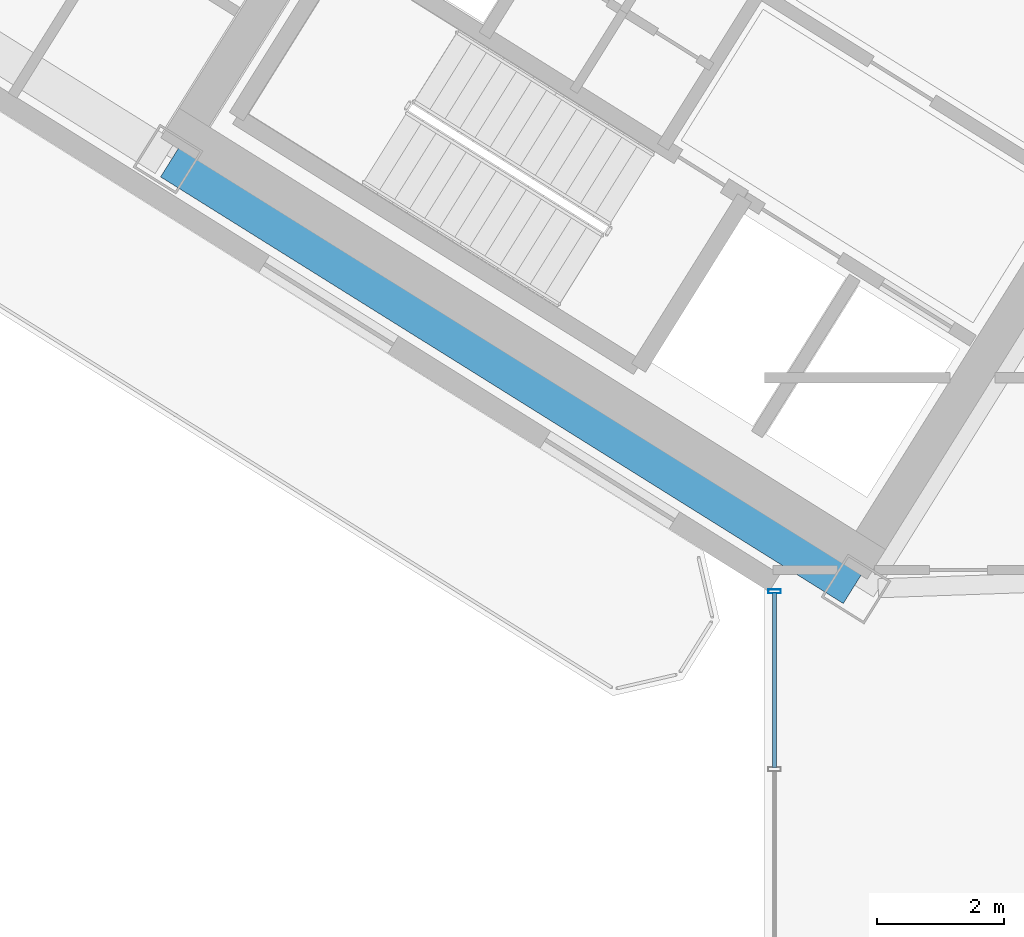
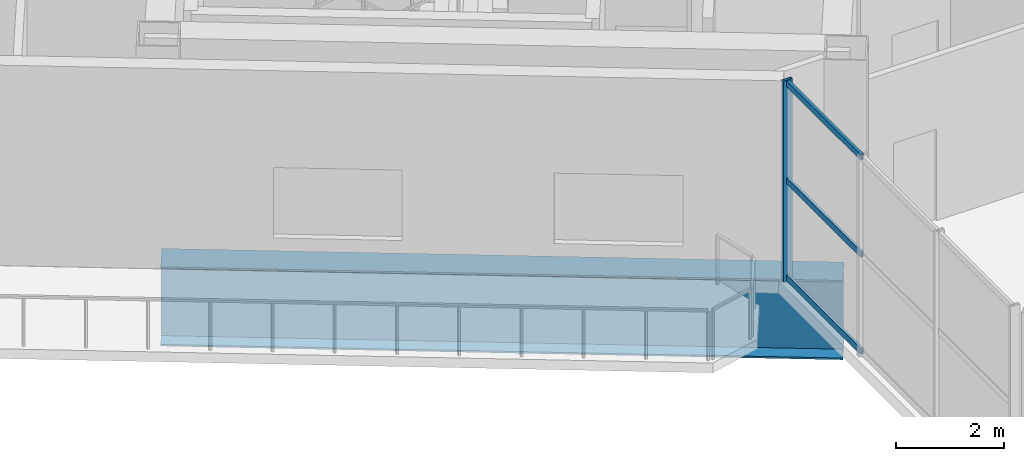
# One storey, part 5 of 21: 4 members, 1 beam, 1 element without a shape of its own.
"""IFC4 building model written with IfcOpenShell, lengths in metres."""

from ifc_helpers import new_model, si_unit, direction, frame, origin, origin_2d, place, context, subcontext, project, spatial, hollow_rectangle, i_section, extrude, source, transform, mapped, material, material_profile, profile_set, type_object, element, aggregate, save


model = new_model("IFC4")

# Units and contexts
model_context = context("Model", 3, precision=1e-05, world=origin(), true_north=direction((0.0, 1.0)))
body_context = subcontext(model_context, "Body", "Model", "MODEL_VIEW")
ifc_project = project(units=[si_unit("LENGTHUNIT", "METRE"), si_unit("AREAUNIT", "SQUARE_METRE"), si_unit("VOLUMEUNIT", "CUBIC_METRE"), si_unit("PLANEANGLEUNIT", "RADIAN"), si_unit("MASSUNIT", "GRAM", prefix="KILO")], contexts=[model_context])

# Site, building, storey
site_placement = place(None, origin())
site = spatial("IfcSite", under=ifc_project, at=site_placement, CompositionType="ELEMENT")
building_placement = place(site_placement, origin())
building = spatial("IfcBuilding", under=site, at=building_placement, Name="Tlacorven Tower", CompositionType="ELEMENT")
storey_placement = place(building_placement, frame((0.0, 0.0, 179.39990234375)))
storey = spatial("IfcBuildingStorey", under=building, at=storey_placement, Name="L45", CompositionType="ELEMENT", Elevation=179.39990234375)

# Beam
ifc_material_1 = material(Name="Steel S460M", Category="steel")
ifc_material_profile_1 = material_profile(ifc_material_1, i_section(OverallWidth=0.60009765625, OverallDepth=1.800048828125, WebThickness=0.028076171875, FlangeThickness=0.0400390625, at=origin_2d()), Name="PG 1800X600X28X40")
ifc_profile_set_1 = profile_set([ifc_material_profile_1], Name="Steel S460M")
beam_type = type_object("IfcBeamType", Name="BM-TRG-1800", PredefinedType="USERDEFINED", material=ifc_profile_set_1)
shared_shape_1 = source(origin(), body_context, "Body", "SweptSolid", [
    extrude(i_section(OverallWidth=0.60009765625, OverallDepth=1.800048828125, WebThickness=0.028076171875, FlangeThickness=0.0400390625, at=origin_2d()), origin(), (0.0, 0.0, 1.0), 12.699951171875),
])
beam_placement = place(storey_placement, frame((33.003662109375, 12.11328125, -1.179931640625), z_axis=(-0.848043660692, 0.529926362394, 0.0), x_axis=(-0.529926362394, -0.848043660692, 0.0)))
element("IfcBeam", 1, at=beam_placement, inside=storey, type_object=beam_type, Name="L45 beam BM-L45-WL4-1", ObjectType="TRANSFER GIRDER", PredefinedType="USERDEFINED", context=body_context, shape_type="MappedRepresentation", body=[
    mapped(shared_shape_1, transform((0.0, 0.0, 0.0), scale=1.0)),
])

# Curtain wall, members
ifc_material_2 = material(Name="Dark solar low-E double glazing in aluminium frame", Category="aluminium")
curtain_wall_type = type_object("IfcCurtainWallType", Name="CW-TWR-MID", PredefinedType="USERDEFINED", material=ifc_material_2)
curtain_wall_placement = place(storey_placement, origin())
curtain_wall = element("IfcCurtainWall", 2, at=curtain_wall_placement, inside=storey, type_object=curtain_wall_type, Name="L45 CW-TWR-MID Curtain Wall 211", ObjectType="UNITISED CURTAIN WALL", PredefinedType="USERDEFINED")
ifc_material_3 = material(Name="Aluminium 6063-T6 anodised", Category="aluminium")
ifc_material_profile_2 = material_profile(ifc_material_3, hollow_rectangle(XDim=0.06005859375, YDim=0.139892578125, WallThickness=0.00390625, at=origin_2d()), Name="ALU TRANSOM 60X140")
ifc_profile_set_2 = profile_set([ifc_material_profile_2], Name="Aluminium 6063-T6 anodised")
member_type_1 = type_object("IfcMemberType", Name="CWT-02", PredefinedType="USERDEFINED", material=ifc_profile_set_2)
shared_shape_2 = source(origin(), body_context, "Body", "SweptSolid", [
    extrude(hollow_rectangle(XDim=0.06005859375, YDim=0.139892578125, WallThickness=0.00390625, at=origin_2d()), origin(), (0.0, 0.0, 1.0), 2.765380859375),
])
member_1_placement = place(storey_placement, frame((31.760009765625, 9.2646484375, 0.070068359375), z_axis=(0.0, 1.0, 0.0), x_axis=(-1.0, 0.0, 0.0)))
member_1 = element("IfcMember", 3, at=member_1_placement, type_object=member_type_1, Name="CW-L45-211 Transom 7", ObjectType="TRANSOM", PredefinedType="USERDEFINED", context=body_context, shape_type="MappedRepresentation", body=[
    mapped(shared_shape_2, transform((0.0, 0.0, 0.0), scale=1.0)),
])
member_2_placement = place(storey_placement, frame((31.760009765625, 9.2646484375, 2.275146484375), z_axis=(0.0, 1.0, 0.0), x_axis=(-1.0, 0.0, 0.0)))
member_2 = element("IfcMember", 4, at=member_2_placement, type_object=member_type_1, Name="CW-L45-211 Transom 8", ObjectType="TRANSOM", PredefinedType="USERDEFINED", context=body_context, shape_type="MappedRepresentation", body=[
    mapped(shared_shape_2, transform((0.0, 0.0, 0.0), scale=1.0)),
])
member_3_placement = place(storey_placement, frame((31.760009765625, 9.2646484375, 4.47998046875), z_axis=(0.0, 1.0, 0.0), x_axis=(-1.0, 0.0, 0.0)))
member_3 = element("IfcMember", 5, at=member_3_placement, type_object=member_type_1, Name="CW-L45-211 Transom 9", ObjectType="TRANSOM", PredefinedType="USERDEFINED", context=body_context, shape_type="MappedRepresentation", body=[
    mapped(shared_shape_2, transform((0.0, 0.0, 0.0), scale=1.0)),
])
ifc_material_profile_3 = material_profile(ifc_material_3, hollow_rectangle(XDim=0.06494140625, YDim=0.199951171875, WallThickness=0.00439453125, at=origin_2d()), Name="ALU MULLION 65X200")
ifc_profile_set_3 = profile_set([ifc_material_profile_3], Name="Aluminium 6063-T6 anodised")
member_type_2 = type_object("IfcMemberType", Name="CWM-02", PredefinedType="MULLION", material=ifc_profile_set_3)
shared_shape_3 = source(origin(), body_context, "Body", "SweptSolid", [
    extrude(hollow_rectangle(XDim=0.06494140625, YDim=0.199951171875, WallThickness=0.00439453125, at=origin_2d()), origin(), (0.0, 0.0, 1.0), 4.580078125),
])
member_4_placement = place(storey_placement, frame((31.760009765625, 12.050537109375, -0.02001953125), z_axis=(0.0, 0.0, 1.0), x_axis=(0.0, 1.0, 0.0)))
member_4 = element("IfcMember", 6, at=member_4_placement, type_object=member_type_2, Name="CW-L45-211 Mullion 4", PredefinedType="MULLION", context=body_context, shape_type="MappedRepresentation", body=[
    mapped(shared_shape_3, transform((0.0, 0.0, 0.0), scale=1.0)),
])
aggregate(curtain_wall, [member_4, member_1, member_2, member_3])

save(model, "model.ifc")
